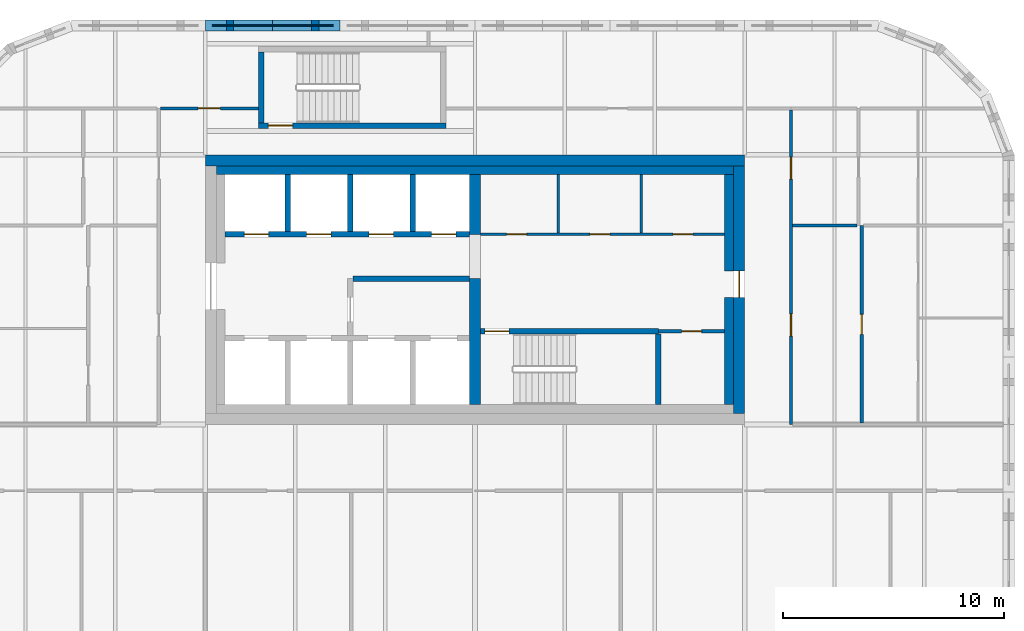
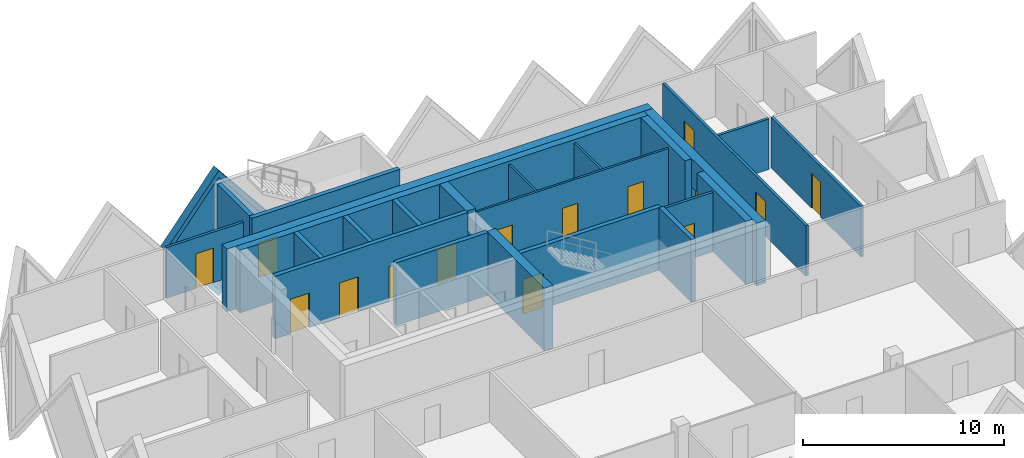
# One storey, part 14 of 19: 25 walls, 15 doors, 1 plate, 16 openings.
"""IFC4 building model written with IfcOpenShell, lengths in metres."""

from ifc_helpers import new_model, si_unit, direction, frame, frame_2d, origin, place, context, subcontext, project, spatial, polyline, rectangle, outline, extrude, faceted_brep, source, transform, mapped, material, layer, layer_set, type_object, element, fill, save


model = new_model("IFC4")

# Units and contexts
model_context = context("Model", 3, precision=1e-05, world=origin(), true_north=direction((0.0, 1.0)))
body_context = subcontext(model_context, "Body", "Model", "MODEL_VIEW")
ifc_project = project(units=[si_unit("LENGTHUNIT", "METRE"), si_unit("AREAUNIT", "SQUARE_METRE"), si_unit("VOLUMEUNIT", "CUBIC_METRE"), si_unit("PLANEANGLEUNIT", "RADIAN"), si_unit("MASSUNIT", "GRAM", prefix="KILO")], contexts=[model_context])

# Site, building, storey
site_placement = place(None, origin())
site = spatial("IfcSite", under=ifc_project, at=site_placement, CompositionType="ELEMENT")
building_placement = place(site_placement, origin())
building = spatial("IfcBuilding", under=site, at=building_placement, Name="Tessera Gate Towers", CompositionType="ELEMENT")
storey_placement = place(building_placement, frame((0.0, 0.0, 87.60009765625)))
storey = spatial("IfcBuildingStorey", under=building, at=storey_placement, Name="L21", CompositionType="ELEMENT", Elevation=87.60009765625)

# Wall, openings, doors
ifc_material_1 = material(Name="Concrete C40/50", Category="concrete")
ifc_layer_1 = layer(ifc_material_1, 0.25)
ifc_layer_set_1 = layer_set([ifc_layer_1], Name="CORE ENCLOSURE WALL 250")
wall_type_1 = type_object("IfcWallType", Name="CORE ENCLOSURE WALL 250", PredefinedType="SOLIDWALL", material=ifc_layer_set_1)
wall_1_placement = place(storey_placement, frame((109.550048828125, 45.199951171875, 0.0), z_axis=(0.0, 0.0, 1.0), x_axis=(-1.0, 0.0, 0.0)))
wall_1 = element("IfcWall", 1, at=wall_1_placement, inside=storey, type_object=wall_type_1, Name="L21 shaft and stair enclosure wall", PredefinedType="SOLIDWALL", context=body_context, shape_type="SweptSolid", body=[
    extrude(rectangle(XDim=11.050048828125, YDim=0.25, at=frame_2d((5.52490234375, 0.0))), origin(), (0.0, 0.0, 1.0), 3.7998046875),
])
shared_shape_1 = source(origin(), body_context, "Body", "SweptSolid", [
    extrude(rectangle(XDim=1.10009765625, YDim=2.10009765625, at=frame_2d((0.550048828125, 1.050048828125))), frame((0.0, 0.135009765625, 0.0), z_axis=(0.0, -1.0, 0.0), x_axis=(1.0, 0.0, 0.0)), (0.0, 0.0, 1.0), 0.27001953125),
])
opening_1_placement = place(wall_1_placement, frame((9.08740234375, 0.0, 0.0)))
opening_1 = element("IfcOpeningElement", 2, at=opening_1_placement, cuts=wall_1, Name="Opening LD-TL3", PredefinedType="OPENING", context=body_context, shape_type="MappedRepresentation", body=[
    mapped(shared_shape_1, transform((0.0, 0.0, 0.0), scale=1.0)),
])
opening_2_placement = place(wall_1_placement, frame((6.262451171875, 0.0, 0.0)))
opening_2 = element("IfcOpeningElement", 3, at=opening_2_placement, cuts=wall_1, Name="Opening LD-TL4", PredefinedType="OPENING", context=body_context, shape_type="MappedRepresentation", body=[
    mapped(shared_shape_1, transform((0.0, 0.0, 0.0), scale=1.0)),
])
opening_3_placement = place(wall_1_placement, frame((3.4375, 0.0, 0.0)))
opening_3 = element("IfcOpeningElement", 4, at=opening_3_placement, cuts=wall_1, Name="Opening LD-TL5", PredefinedType="OPENING", context=body_context, shape_type="MappedRepresentation", body=[
    mapped(shared_shape_1, transform((0.0, 0.0, 0.0), scale=1.0)),
])
opening_4_placement = place(wall_1_placement, frame((0.612548828125, 0.0, 0.0)))
opening_4 = element("IfcOpeningElement", 5, at=opening_4_placement, cuts=wall_1, Name="Opening LD-TL6", PredefinedType="OPENING", context=body_context, shape_type="MappedRepresentation", body=[
    mapped(shared_shape_1, transform((0.0, 0.0, 0.0), scale=1.0)),
])
ifc_material_2 = material(Name="Stainless steel", Category="steel")
door_type_1 = type_object("IfcDoorType", Name="CORE DOOR LD 1100x2100", OperationType="DOUBLE_DOOR_SLIDING", PredefinedType="DOOR", material=ifc_material_2)
shared_shape_2 = source(origin(), body_context, "Body", "SweptSolid", [
    extrude(rectangle(XDim=1.10009765625, YDim=2.10009765625, at=frame_2d((0.550048828125, 1.050048828125))), frame((0.0, 0.02490234375, 0.0), z_axis=(0.0, -1.0, 0.0), x_axis=(1.0, 0.0, 0.0)), (0.0, 0.0, 1.0), 0.050048828125),
])
door_1_placement = place(opening_1_placement, origin())
door_1 = element("IfcDoor", 6, at=door_1_placement, inside=storey, type_object=door_type_1, Name="Landing door TL3 L21", OperationType="DOUBLE_DOOR_SLIDING", OverallHeight=2.10009765625, OverallWidth=1.10009765625, PredefinedType="DOOR", context=body_context, shape_type="MappedRepresentation", body=[
    mapped(shared_shape_2, transform((0.0, 0.0, 0.0), scale=1.0)),
])
fill(opening_1, door_1)
door_2_placement = place(opening_2_placement, origin())
door_2 = element("IfcDoor", 7, at=door_2_placement, inside=storey, type_object=door_type_1, Name="Landing door TL4 L21", OperationType="DOUBLE_DOOR_SLIDING", OverallHeight=2.10009765625, OverallWidth=1.10009765625, PredefinedType="DOOR", context=body_context, shape_type="MappedRepresentation", body=[
    mapped(shared_shape_2, transform((0.0, 0.0, 0.0), scale=1.0)),
])
fill(opening_2, door_2)
door_3_placement = place(opening_3_placement, origin())
door_3 = element("IfcDoor", 8, at=door_3_placement, inside=storey, type_object=door_type_1, Name="Landing door TL5 L21", OperationType="DOUBLE_DOOR_SLIDING", OverallHeight=2.10009765625, OverallWidth=1.10009765625, PredefinedType="DOOR", context=body_context, shape_type="MappedRepresentation", body=[
    mapped(shared_shape_2, transform((0.0, 0.0, 0.0), scale=1.0)),
])
fill(opening_3, door_3)
door_4_placement = place(opening_4_placement, origin())
door_4 = element("IfcDoor", 9, at=door_4_placement, inside=storey, type_object=door_type_1, Name="Landing door TL6 L21", OperationType="DOUBLE_DOOR_SLIDING", OverallHeight=2.10009765625, OverallWidth=1.10009765625, PredefinedType="DOOR", context=body_context, shape_type="MappedRepresentation", body=[
    mapped(shared_shape_2, transform((0.0, 0.0, 0.0), scale=1.0)),
])
fill(opening_4, door_4)

# Wall, opening, door
wall_2_placement = place(storey_placement, frame((118.10009765625, 40.824951171875, 0.0), z_axis=(0.0, 0.0, 1.0), x_axis=(-1.0, 0.0, 0.0)))
wall_2 = element("IfcWall", 10, at=wall_2_placement, inside=storey, type_object=wall_type_1, Name="L21 shaft and stair enclosure wall", PredefinedType="SOLIDWALL", context=body_context, shape_type="SweptSolid", body=[
    extrude(rectangle(XDim=8.050048828125, YDim=0.25, at=frame_2d((4.02490234375, 0.0))), origin(), (0.0, 0.0, 1.0), 3.7998046875),
])
opening_5_placement = place(wall_2_placement, frame((6.75, 0.0, 0.0)))
opening_5 = element("IfcOpeningElement", 11, at=opening_5_placement, cuts=wall_2, Name="Opening SD-ST6-1", PredefinedType="OPENING", context=body_context, shape_type="MappedRepresentation", body=[
    mapped(shared_shape_1, transform((0.0, 0.0, 0.0), scale=1.0)),
])
ifc_material_3 = material(Name="Hollow steel fire door", Category="steel")
door_type_2 = type_object("IfcDoorType", Name="CORE DOOR SD1100 1100x2100", OperationType="NOTDEFINED", PredefinedType="DOOR", material=ifc_material_3)
door_5_placement = place(opening_5_placement, origin())
door_5 = element("IfcDoor", 12, at=door_5_placement, inside=storey, type_object=door_type_2, Name="Stair door", OperationType="SINGLE_SWING_RIGHT", OverallHeight=2.10009765625, OverallWidth=1.10009765625, PredefinedType="DOOR", context=body_context, shape_type="MappedRepresentation", body=[
    mapped(shared_shape_2, transform((0.0, 0.0, 0.0), scale=1.0)),
])
fill(opening_5, door_5)

# Walls
wall_3_placement = place(storey_placement, frame((104.27490234375, 43.199951171875, 0.0), z_axis=(0.0, 0.0, 1.0), x_axis=(1.0, 0.0, 0.0)))
element("IfcWall", 13, at=wall_3_placement, inside=storey, type_object=wall_type_1, Name="L21 shaft and stair enclosure wall", PredefinedType="SOLIDWALL", context=body_context, shape_type="SweptSolid", body=[
    extrude(rectangle(XDim=5.275146484375, YDim=0.25, at=frame_2d((2.6376953125, 0.0))), origin(), (0.0, 0.0, 1.0), 3.7998046875),
])
wall_4_placement = place(storey_placement, frame((118.10009765625, 37.5, 0.0), z_axis=(0.0, 0.0, 1.0), x_axis=(0.0, 1.0, 0.0)))
element("IfcWall", 14, at=wall_4_placement, inside=storey, type_object=wall_type_1, Name="L21 shaft and stair enclosure wall", PredefinedType="SOLIDWALL", context=body_context, shape_type="SweptSolid", body=[
    extrude(rectangle(XDim=3.199951171875, YDim=0.25, at=frame_2d((1.60009765625, 0.0))), origin(), (0.0, 0.0, 1.0), 3.7998046875),
])
for number, where, z_axis, x_axis, name in (
    (15, (101.324951171875, 45.324951171875, 0.0), (0.0, 0.0, 1.0), (0.0, 1.0, 0.0), "L21 shaft and stair enclosure wall"),
    (16, (104.14990234375, 45.324951171875, 0.0), (0.0, 0.0, 1.0), (0.0, 1.0, 0.0), "L21 shaft and stair enclosure wall"),
    (17, (106.97509765625, 45.324951171875, 0.0), (0.0, 0.0, 1.0), (0.0, 1.0, 0.0), "L21 shaft and stair enclosure wall"),
):
    element("IfcWall", number, at=place(storey_placement, frame(where, z_axis=z_axis, x_axis=x_axis)), inside=storey, type_object=wall_type_1, Name=name, PredefinedType="SOLIDWALL", context=body_context, shape_type="SweptSolid", body=[
        extrude(rectangle(XDim=2.574951171875, YDim=0.25, at=frame_2d((1.28759765625, 0.0))), origin(), (0.0, 0.0, 1.0), 3.7998046875),
    ])

# Wall, opening, door
wall_5_placement = place(storey_placement, frame((108.5, 50.125, 0.0), z_axis=(0.0, 0.0, 1.0), x_axis=(-1.0, 0.0, 0.0)))
wall_5 = element("IfcWall", 18, at=wall_5_placement, inside=storey, type_object=wall_type_1, Name="L21 ST7 enclosure wall", PredefinedType="SOLIDWALL", context=body_context, shape_type="SweptSolid", body=[
    extrude(rectangle(XDim=8.5, YDim=0.25, at=frame_2d((4.25, 0.0))), origin(), (0.0, 0.0, 1.0), 3.7998046875),
])
opening_6_placement = place(wall_5_placement, frame((6.949951171875, 0.0, 0.0)))
opening_6 = element("IfcOpeningElement", 19, at=opening_6_placement, cuts=wall_5, Name="Opening SD-ST7-1", PredefinedType="OPENING", context=body_context, shape_type="MappedRepresentation", body=[
    mapped(shared_shape_1, transform((0.0, 0.0, 0.0), scale=1.0)),
])
door_6_placement = place(opening_6_placement, origin())
door_6 = element("IfcDoor", 20, at=door_6_placement, inside=storey, type_object=door_type_2, Name="Stair door", OperationType="SINGLE_SWING_RIGHT", OverallHeight=2.10009765625, OverallWidth=1.10009765625, PredefinedType="DOOR", context=body_context, shape_type="MappedRepresentation", body=[
    mapped(shared_shape_2, transform((0.0, 0.0, 0.0), scale=1.0)),
])
fill(opening_6, door_6)

# Wall
wall_6_placement = place(storey_placement, frame((100.125, 50.25, 0.0), z_axis=(0.0, 0.0, 1.0), x_axis=(0.0, 1.0, 0.0)))
element("IfcWall", 21, at=wall_6_placement, inside=storey, type_object=wall_type_1, Name="L21 ST7 enclosure wall", PredefinedType="SOLIDWALL", context=body_context, shape_type="SweptSolid", body=[
    extrude(rectangle(XDim=3.199951171875, YDim=0.25, at=frame_2d((1.60009765625, 0.0))), origin(), (0.0, 0.0, 1.0), 3.7998046875),
])

# Wall, openings, doors
ifc_material_4 = material(Name="Gypsum board on steel studs", Category="steel")
ifc_layer_2 = layer(ifc_material_4, 0.1201171875)
ifc_layer_set_2 = layer_set([ifc_layer_2], Name="CORE PARTITION 120")
wall_type_2 = type_object("IfcWallType", Name="CORE PARTITION 120", PredefinedType="PARTITIONING", material=ifc_layer_set_2)
wall_7_placement = place(storey_placement, frame((110.050048828125, 45.199951171875, 0.0), z_axis=(0.0, 0.0, 1.0), x_axis=(1.0, 0.0, 0.0)))
wall_7 = element("IfcWall", 22, at=wall_7_placement, inside=storey, type_object=wall_type_2, Name="L21 core partition", PredefinedType="PARTITIONING", context=body_context, shape_type="SweptSolid", body=[
    extrude(rectangle(XDim=11.050048828125, YDim=0.1201171875, at=frame_2d((5.52490234375, 0.0))), origin(), (0.0, 0.0, 1.0), 3.599853515625),
])
shared_shape_3 = source(origin(), body_context, "Body", "SweptSolid", [
    extrude(rectangle(XDim=0.89990234375, YDim=2.10009765625, at=frame_2d((0.449951171875, 1.050048828125))), frame((0.0, 0.070068359375, 0.0), z_axis=(0.0, -1.0, 0.0), x_axis=(1.0, 0.0, 0.0)), (0.0, 0.0, 1.0), 0.14013671875),
])
opening_7_placement = place(wall_7_placement, frame((1.1875, 0.0, 0.0)))
opening_7 = element("IfcOpeningElement", 23, at=opening_7_placement, cuts=wall_7, Name="Opening RD-T2-11-04", PredefinedType="OPENING", context=body_context, shape_type="MappedRepresentation", body=[
    mapped(shared_shape_3, transform((0.0, 0.0, 0.0), scale=1.0)),
])
opening_8_placement = place(wall_7_placement, frame((4.949951171875, 0.0, 0.0)))
opening_8 = element("IfcOpeningElement", 24, at=opening_8_placement, cuts=wall_7, Name="Opening RD-T2-11-05", PredefinedType="OPENING", context=body_context, shape_type="MappedRepresentation", body=[
    mapped(shared_shape_3, transform((0.0, 0.0, 0.0), scale=1.0)),
])
opening_9_placement = place(wall_7_placement, frame((8.71240234375, 0.0, 0.0)))
opening_9 = element("IfcOpeningElement", 25, at=opening_9_placement, cuts=wall_7, Name="Opening RD-T2-11-06", PredefinedType="OPENING", context=body_context, shape_type="MappedRepresentation", body=[
    mapped(shared_shape_3, transform((0.0, 0.0, 0.0), scale=1.0)),
])
ifc_material_5 = material(Name="Hollow steel fire door", Category="steel")
door_type_3 = type_object("IfcDoorType", Name="CORE DOOR RD 900x2100", OperationType="NOTDEFINED", PredefinedType="DOOR", material=ifc_material_5)
shared_shape_4 = source(origin(), body_context, "Body", "SweptSolid", [
    extrude(rectangle(XDim=0.89990234375, YDim=2.10009765625, at=frame_2d((0.449951171875, 1.050048828125))), frame((0.0, 0.02490234375, 0.0), z_axis=(0.0, -1.0, 0.0), x_axis=(1.0, 0.0, 0.0)), (0.0, 0.0, 1.0), 0.050048828125),
])
door_7_placement = place(opening_7_placement, origin())
door_7 = element("IfcDoor", 26, at=door_7_placement, inside=storey, type_object=door_type_3, Name="Core room door", OperationType="SINGLE_SWING_LEFT", OverallHeight=2.10009765625, OverallWidth=0.89990234375, PredefinedType="DOOR", context=body_context, shape_type="MappedRepresentation", body=[
    mapped(shared_shape_4, transform((0.0, 0.0, 0.0), scale=1.0)),
])
fill(opening_7, door_7)
door_8_placement = place(opening_8_placement, origin())
door_8 = element("IfcDoor", 27, at=door_8_placement, inside=storey, type_object=door_type_3, Name="Core room door", OperationType="SINGLE_SWING_LEFT", OverallHeight=2.10009765625, OverallWidth=0.89990234375, PredefinedType="DOOR", context=body_context, shape_type="MappedRepresentation", body=[
    mapped(shared_shape_4, transform((0.0, 0.0, 0.0), scale=1.0)),
])
fill(opening_8, door_8)
door_9_placement = place(opening_9_placement, origin())
door_9 = element("IfcDoor", 28, at=door_9_placement, inside=storey, type_object=door_type_3, Name="Core room door", OperationType="SINGLE_SWING_RIGHT", OverallHeight=2.10009765625, OverallWidth=0.89990234375, PredefinedType="DOOR", context=body_context, shape_type="MappedRepresentation", body=[
    mapped(shared_shape_4, transform((0.0, 0.0, 0.0), scale=1.0)),
])
fill(opening_9, door_9)

# Walls
for number, where, z_axis, x_axis, name in (
    (29, (113.574951171875, 45.260009765625, 0.0), (0.0, 0.0, 1.0), (0.0, 1.0, 0.0), "L21 core partition"),
    (30, (117.324951171875, 45.260009765625, 0.0), (0.0, 0.0, 1.0), (0.0, 1.0, 0.0), "L21 core partition"),
):
    element("IfcWall", number, at=place(storey_placement, frame(where, z_axis=z_axis, x_axis=x_axis)), inside=storey, type_object=wall_type_2, Name=name, PredefinedType="PARTITIONING", context=body_context, shape_type="SweptSolid", body=[
        extrude(rectangle(XDim=2.639892578125, YDim=0.1201171875, at=frame_2d((1.31982421875, 0.0))), origin(), (0.0, 0.0, 1.0), 3.599853515625),
    ])
ifc_material_6 = material(Name="Concrete C50/60", Category="concrete")
ifc_layer_3 = layer(ifc_material_6, 0.5)
ifc_layer_set_3 = layer_set([ifc_layer_3], Name="CORE SHEAR WALL 500 C50/60")
wall_type_3 = type_object("IfcWallType", Name="CORE SHEAR WALL 500 C50/60", PredefinedType="SHEAR", material=ifc_layer_set_3)
wall_8_placement = place(storey_placement, frame((97.60009765625, 48.550048828125, 0.0), z_axis=(0.0, 0.0, 1.0), x_axis=(1.0, 0.0, 0.0)))
element("IfcWall", 31, at=wall_8_placement, inside=storey, type_object=wall_type_3, Name="Core wall N L21", PredefinedType="SHEAR", context=body_context, shape_type="SweptSolid", body=[
    extrude(rectangle(XDim=24.39990234375, YDim=0.5, at=frame_2d((12.199951171875, 0.0))), origin(), (0.0, 0.0, 1.0), 3.7998046875),
])

# Wall, opening, door
wall_9_placement = place(storey_placement, frame((121.75, 48.300048828125, 0.0), z_axis=(0.0, 0.0, 1.0), x_axis=(0.0, -1.0, 0.0)))
wall_9 = element("IfcWall", 32, at=wall_9_placement, inside=storey, type_object=wall_type_3, Name="Core wall E L21", PredefinedType="SHEAR", context=body_context, shape_type="SweptSolid", body=[
    extrude(rectangle(XDim=11.199951171875, YDim=0.5, at=frame_2d((5.60009765625, 0.0))), origin(), (0.0, 0.0, 1.0), 3.7998046875),
])
shared_shape_5 = source(origin(), body_context, "Body", "SweptSolid", [
    extrude(rectangle(XDim=1.199951171875, YDim=2.10009765625, at=frame_2d((0.60009765625, 1.050048828125))), frame((0.0, 0.260009765625, 0.0), z_axis=(0.0, -1.0, 0.0), x_axis=(1.0, 0.0, 0.0)), (0.0, 0.0, 1.0), 0.52001953125),
])
opening_10_placement = place(wall_9_placement, frame((4.75, 0.0, 0.0)))
opening_10 = element("IfcOpeningElement", 33, at=opening_10_placement, cuts=wall_9, Name="Opening ED-T2-11-02", PredefinedType="OPENING", context=body_context, shape_type="MappedRepresentation", body=[
    mapped(shared_shape_5, transform((0.0, 0.0, 0.0), scale=1.0)),
])
ifc_material_7 = material(Name="Hollow steel fire door", Category="steel")
door_type_4 = type_object("IfcDoorType", Name="CORE DOOR ED 1200x2100", OperationType="NOTDEFINED", PredefinedType="DOOR", material=ifc_material_7)
shared_shape_6 = source(origin(), body_context, "Body", "SweptSolid", [
    extrude(rectangle(XDim=1.199951171875, YDim=2.10009765625, at=frame_2d((0.60009765625, 1.050048828125))), frame((0.0, 0.02490234375, 0.0), z_axis=(0.0, -1.0, 0.0), x_axis=(1.0, 0.0, 0.0)), (0.0, 0.0, 1.0), 0.050048828125),
])
door_10_placement = place(opening_10_placement, origin())
door_10 = element("IfcDoor", 34, at=door_10_placement, inside=storey, type_object=door_type_4, Name="Core exit door", OperationType="SINGLE_SWING_LEFT", OverallHeight=2.10009765625, OverallWidth=1.199951171875, PredefinedType="DOOR", context=body_context, shape_type="MappedRepresentation", body=[
    mapped(shared_shape_6, transform((0.0, 0.0, 0.0), scale=1.0)),
])
fill(opening_10, door_10)

# Walls
ifc_material_8 = material(Name="Concrete C50/60", Category="concrete")
ifc_layer_4 = layer(ifc_material_8, 0.5)
ifc_layer_set_4 = layer_set([ifc_layer_4], Name="CORE SPINE WALL 500 C50/60")
wall_type_4 = type_object("IfcWallType", Name="CORE SPINE WALL 500 C50/60", PredefinedType="SHEAR", material=ifc_layer_set_4)
wall_10_placement = place(storey_placement, frame((109.800048828125, 37.5, 0.0), z_axis=(0.0, 0.0, 1.0), x_axis=(0.0, 1.0, 0.0)))
element("IfcWall", 35, at=wall_10_placement, inside=storey, type_object=wall_type_4, Name="Core wall spine L21", PredefinedType="SHEAR", context=body_context, shape_type="SweptSolid", body=[
    extrude(rectangle(XDim=5.699951171875, YDim=0.5, at=frame_2d((2.85009765625, 0.0))), origin(), (0.0, 0.0, 1.0), 3.7998046875),
])
wall_11_placement = place(storey_placement, frame((109.800048828125, 45.199951171875, 0.0), z_axis=(0.0, 0.0, 1.0), x_axis=(0.0, 1.0, 0.0)))
element("IfcWall", 36, at=wall_11_placement, inside=storey, type_object=wall_type_4, Name="Core wall spine L21", PredefinedType="SHEAR", context=body_context, shape_type="SweptSolid", body=[
    extrude(rectangle(XDim=2.699951171875, YDim=0.5, at=frame_2d((1.35009765625, 0.0))), origin(), (0.0, 0.0, 1.0), 3.7998046875),
])
ifc_material_9 = material(Name="Concrete C50/60", Category="concrete")
ifc_layer_5 = layer(ifc_material_9, 0.39990234375)
ifc_layer_set_5 = layer_set([ifc_layer_5], Name="CORE WALL THICKENING 400")
wall_type_5 = type_object("IfcWallType", Name="CORE WALL THICKENING 400", PredefinedType="SOLIDWALL", material=ifc_layer_set_5)
wall_12_placement = place(storey_placement, frame((98.10009765625, 48.10009765625, 0.0), z_axis=(0.0, 0.0, 1.0), x_axis=(1.0, 0.0, 0.0)))
element("IfcWall", 37, at=wall_12_placement, inside=storey, type_object=wall_type_5, Name="Core wall thickening N L21", PredefinedType="SOLIDWALL", context=body_context, shape_type="SweptSolid", body=[
    extrude(rectangle(XDim=23.39990234375, YDim=0.39990234375, at=frame_2d((11.699951171875, 0.0))), origin(), (0.0, 0.0, 1.0), 3.7998046875),
])
wall_13_placement = place(storey_placement, frame((121.300048828125, 37.5, 0.0), z_axis=(0.0, 0.0, 1.0), x_axis=(0.0, 1.0, 0.0)))
element("IfcWall", 38, at=wall_13_placement, inside=storey, type_object=wall_type_5, Name="Core wall thickening E L21", PredefinedType="SOLIDWALL", context=body_context, shape_type="SweptSolid", body=[
    extrude(rectangle(XDim=4.85009765625, YDim=0.39990234375, at=frame_2d((2.425048828125, 0.0))), origin(), (0.0, 0.0, 1.0), 3.7998046875),
])
wall_14_placement = place(storey_placement, frame((121.300048828125, 43.550048828125, 0.0), z_axis=(0.0, 0.0, 1.0), x_axis=(0.0, 1.0, 0.0)))
element("IfcWall", 39, at=wall_14_placement, inside=storey, type_object=wall_type_5, Name="Core wall thickening E L21", PredefinedType="SOLIDWALL", context=body_context, shape_type="SweptSolid", body=[
    extrude(rectangle(XDim=4.349853515625, YDim=0.39990234375, at=frame_2d((2.1748046875, 0.0))), origin(), (0.0, 0.0, 1.0), 3.7998046875),
])

# Wall, openings, doors
ifc_material_10 = material(Name="Gypsum board on steel studs, mineral wool", Category="steel")
ifc_layer_6 = layer(ifc_material_10, 0.14990234375)
ifc_layer_set_6 = layer_set([ifc_layer_6], Name="CORRIDOR WALL 150")
wall_type_6 = type_object("IfcWallType", Name="CORRIDOR WALL 150", PredefinedType="PARTITIONING", material=ifc_layer_set_6)
wall_15_placement = place(storey_placement, frame((124.10009765625, 50.823974609375, 0.0), z_axis=(0.0, 0.0, 1.0), x_axis=(0.0, -1.0, 0.0)))
wall_15 = element("IfcWall", 40, at=wall_15_placement, inside=storey, type_object=wall_type_6, Name="T2-L21-PW-024", PredefinedType="PARTITIONING", context=body_context, shape_type="SweptSolid", body=[
    extrude(rectangle(XDim=14.223876953125, YDim=0.14990234375, at=frame_2d((7.11181640625, 0.0))), origin(), (0.0, 0.0, 1.0), 3.06689453125),
])
shared_shape_7 = source(origin(), body_context, "Body", "SweptSolid", [
    extrude(rectangle(XDim=1.0, YDim=2.10009765625, at=frame_2d((0.5, 1.050048828125))), frame((0.0, 0.0849609375, 0.0), z_axis=(0.0, -1.0, 0.0), x_axis=(1.0, 0.0, 0.0)), (0.0, 0.0, 1.0), 0.169921875),
])
opening_11_placement = place(wall_15_placement, frame((2.123046875, 0.0, 0.0)))
opening_11 = element("IfcOpeningElement", 41, at=opening_11_placement, cuts=wall_15, Name="Opening D2100FD60-B09-02", PredefinedType="OPENING", context=body_context, shape_type="MappedRepresentation", body=[
    mapped(shared_shape_7, transform((0.0, 0.0, 0.0), scale=1.0)),
])
opening_12_placement = place(wall_15_placement, frame((9.22412109375, 0.0, 0.0)))
opening_12 = element("IfcOpeningElement", 42, at=opening_12_placement, cuts=wall_15, Name="Opening D2100FD60-B09-06", PredefinedType="OPENING", context=body_context, shape_type="MappedRepresentation", body=[
    mapped(shared_shape_7, transform((0.0, 0.0, 0.0), scale=1.0)),
])
ifc_material_11 = material(Name="Timber door leaf in steel frame", Category="steel")
door_type_5 = type_object("IfcDoorType", Name="TENANCY ENTRANCE DOOR 1000 FD60", OperationType="NOTDEFINED", PredefinedType="DOOR", material=ifc_material_11)
shared_shape_8 = source(origin(), body_context, "Body", "SweptSolid", [
    extrude(rectangle(XDim=1.0, YDim=2.10009765625, at=frame_2d((0.5, 1.050048828125))), frame((0.0, 0.02490234375, 0.0), z_axis=(0.0, -1.0, 0.0), x_axis=(1.0, 0.0, 0.0)), (0.0, 0.0, 1.0), 0.050048828125),
])
door_11_placement = place(opening_11_placement, origin())
door_11 = element("IfcDoor", 43, at=door_11_placement, inside=storey, type_object=door_type_5, Name="T2-L21-PD-011", OperationType="SINGLE_SWING_RIGHT", OverallHeight=2.10009765625, OverallWidth=1.0, PredefinedType="DOOR", context=body_context, shape_type="MappedRepresentation", body=[
    mapped(shared_shape_8, transform((0.0, 0.0, 0.0), scale=1.0)),
])
fill(opening_11, door_11)
door_12_placement = place(opening_12_placement, origin())
door_12 = element("IfcDoor", 44, at=door_12_placement, inside=storey, type_object=door_type_5, Name="T2-L21-PD-024", OperationType="SINGLE_SWING_RIGHT", OverallHeight=2.10009765625, OverallWidth=1.0, PredefinedType="DOOR", context=body_context, shape_type="MappedRepresentation", body=[
    mapped(shared_shape_8, transform((0.0, 0.0, 0.0), scale=1.0)),
])
fill(opening_12, door_12)

# Wall, opening, door
wall_16_placement = place(storey_placement, frame((95.575927734375, 50.89990234375, 0.0), z_axis=(0.0, 0.0, 1.0), x_axis=(1.0, 0.0, 0.0)))
wall_16 = element("IfcWall", 45, at=wall_16_placement, inside=storey, type_object=wall_type_6, Name="T2-L21-PW-039", PredefinedType="PARTITIONING", context=body_context, shape_type="SweptSolid", body=[
    extrude(rectangle(XDim=4.424072265625, YDim=0.14990234375, at=frame_2d((2.2119140625, 0.0))), origin(), (0.0, 0.0, 1.0), 3.06689453125),
])
opening_13_placement = place(wall_16_placement, frame((1.699951171875, 0.0, 0.0)))
opening_13 = element("IfcOpeningElement", 46, at=opening_13_placement, cuts=wall_16, Name="Opening D2100FD60-B09-01", PredefinedType="OPENING", context=body_context, shape_type="MappedRepresentation", body=[
    mapped(shared_shape_7, transform((0.0, 0.0, 0.0), scale=1.0)),
])
door_13_placement = place(opening_13_placement, origin())
door_13 = element("IfcDoor", 47, at=door_13_placement, inside=storey, type_object=door_type_5, Name="T2-L21-PD-003", OperationType="SINGLE_SWING_LEFT", OverallHeight=2.10009765625, OverallWidth=1.0, PredefinedType="DOOR", context=body_context, shape_type="MappedRepresentation", body=[
    mapped(shared_shape_8, transform((0.0, 0.0, 0.0), scale=1.0)),
])
fill(opening_13, door_13)

ifc_material_12 = material(Name="Gypsum board on steel studs", Category="steel")
ifc_layer_7 = layer(ifc_material_12, 0.14990234375)
ifc_layer_set_7 = layer_set([ifc_layer_7], Name="SERVICE ROOM WALL 150")
wall_type_7 = type_object("IfcWallType", Name="SERVICE ROOM WALL 150", PredefinedType="PARTITIONING", material=ifc_layer_set_7)
wall_17_placement = place(storey_placement, frame((121.10009765625, 40.824951171875, 0.0), z_axis=(0.0, 0.0, 1.0), x_axis=(-1.0, 0.0, 0.0)))
wall_17 = element("IfcWall", 48, at=wall_17_placement, inside=storey, type_object=wall_type_7, Name="L21 service room wall", PredefinedType="PARTITIONING", context=body_context, shape_type="SweptSolid", body=[
    extrude(rectangle(XDim=3.0, YDim=0.14990234375, at=frame_2d((1.5, 0.0))), origin(), (0.0, 0.0, 1.0), 3.599853515625),
])
shared_shape_9 = source(origin(), body_context, "Body", "SweptSolid", [
    extrude(rectangle(XDim=0.89990234375, YDim=2.10009765625, at=frame_2d((0.449951171875, 1.050048828125))), frame((0.0, 0.0849609375, 0.0), z_axis=(0.0, -1.0, 0.0), x_axis=(1.0, 0.0, 0.0)), (0.0, 0.0, 1.0), 0.169921875),
])
opening_14_placement = place(wall_17_placement, frame((1.050048828125, 0.0, 0.0)))
opening_14 = element("IfcOpeningElement", 49, at=opening_14_placement, cuts=wall_17, Name="Opening RD-T2-11-07", PredefinedType="OPENING", context=body_context, shape_type="MappedRepresentation", body=[
    mapped(shared_shape_9, transform((0.0, 0.0, 0.0), scale=1.0)),
])
door_14_placement = place(opening_14_placement, origin())
door_14 = element("IfcDoor", 50, at=door_14_placement, inside=storey, type_object=door_type_3, Name="Core room door", OperationType="SINGLE_SWING_RIGHT", OverallHeight=2.10009765625, OverallWidth=0.89990234375, PredefinedType="DOOR", context=body_context, shape_type="MappedRepresentation", body=[
    mapped(shared_shape_4, transform((0.0, 0.0, 0.0), scale=1.0)),
])
fill(opening_14, door_14)

ifc_material_13 = material(Name="Gypsum board on steel studs, mineral wool", Category="steel")
ifc_layer_8 = layer(ifc_material_13, 0.14990234375)
ifc_layer_set_8 = layer_set([ifc_layer_8], Name="TENANCY WALL 150")
wall_type_8 = type_object("IfcWallType", Name="TENANCY WALL 150", PredefinedType="PARTITIONING", material=ifc_layer_set_8)
wall_18_placement = place(storey_placement, frame((127.300048828125, 45.60009765625, 0.0), z_axis=(0.0, 0.0, 1.0), x_axis=(0.0, -1.0, 0.0)))
wall_18 = element("IfcWall", 51, at=wall_18_placement, inside=storey, type_object=wall_type_8, Name="T2-L21-PW-027", PredefinedType="PARTITIONING", context=body_context, shape_type="SweptSolid", body=[
    extrude(rectangle(XDim=8.924072265625, YDim=0.14990234375, at=frame_2d((4.4619140625, 0.0))), origin(), (0.0, 0.0, 1.0), 3.06689453125),
])
opening_15_placement = place(wall_18_placement, frame((4.02392578125, 0.0, 0.0)))
opening_15 = element("IfcOpeningElement", 52, at=opening_15_placement, cuts=wall_18, Name="Opening D190-B09-10", PredefinedType="OPENING", context=body_context, shape_type="MappedRepresentation", body=[
    mapped(shared_shape_9, transform((0.0, 0.0, 0.0), scale=1.0)),
])
ifc_material_14 = material(Name="Timber door leaf in steel frame", Category="steel")
door_type_6 = type_object("IfcDoorType", Name="INTERNAL DOOR 900 NOT RATED", OperationType="NOTDEFINED", PredefinedType="DOOR", material=ifc_material_14)
door_15_placement = place(opening_15_placement, origin())
door_15 = element("IfcDoor", 53, at=door_15_placement, inside=storey, type_object=door_type_6, Name="T2-L21-PD-022", OperationType="SINGLE_SWING_RIGHT", OverallHeight=2.10009765625, OverallWidth=0.89990234375, PredefinedType="DOOR", context=body_context, shape_type="MappedRepresentation", body=[
    mapped(shared_shape_4, transform((0.0, 0.0, 0.0), scale=1.0)),
])
fill(opening_15, door_15)

# Wall
wall_19_placement = place(storey_placement, frame((124.176025390625, 45.60009765625, 0.0), z_axis=(0.0, 0.0, 1.0), x_axis=(1.0, 0.0, 0.0)))
element("IfcWall", 54, at=wall_19_placement, inside=storey, type_object=wall_type_8, Name="T2-L21-PW-033", PredefinedType="PARTITIONING", context=body_context, shape_type="SweptSolid", body=[
    extrude(rectangle(XDim=2.89794921875, YDim=0.14990234375, at=frame_2d((1.448974609375, 0.0))), origin(), (0.0, 0.0, 1.0), 3.06689453125),
])

# Wall, opening, plate
ifc_material_15 = material(Name="Precast concrete C60/75 white", Category="concrete")
ifc_layer_9 = layer(ifc_material_15, 0.5)
ifc_layer_set_9 = layer_set([ifc_layer_9], Name="TS1 tessera")
wall_type_9 = type_object("IfcWallType", Name="TS1 tessera", PredefinedType="SOLIDWALL", material=ifc_layer_set_9)
shared_shape_10 = source(origin(), body_context, "Body", "Brep", [
    faceted_brep([(3.050048828125, -0.25, 0.0), (6.099853515625, -0.25, 3.7998046875), (6.099853515625, -0.25, 3.80029296875), (3.050048828125, -0.25, 7.599853515625), (0.0, -0.25, 3.800048828125), (0.0, 0.25, 3.800048828125), (3.050048828125, 0.25, 7.599853515625), (6.099853515625, 0.25, 3.80029296875), (6.099853515625, 0.25, 3.7998046875), (3.050048828125, 0.25, 0.0)], [[[0, 1, 2, 3, 4]], [[5, 6, 7, 8, 9]], [[9, 8, 1, 0]], [[7, 6, 3, 2]], [[6, 5, 4, 3]], [[5, 9, 0, 4]], [[1, 8, 7, 2]]]),
])
wall_20_placement = place(storey_placement, frame((103.699951171875, 54.64990234375, -3.800048828125), z_axis=(0.0, 0.0, 1.0), x_axis=(-1.0, 0.0, 0.0)))
wall_20 = element("IfcWall", 55, at=wall_20_placement, inside=storey, type_object=wall_type_9, Name="Precast tessera T2 TS1-0265", PredefinedType="SOLIDWALL", context=body_context, shape_type="MappedRepresentation", body=[
    mapped(shared_shape_10, transform((0.0, 0.0, 0.0), scale=1.0)),
])
shared_shape_11 = source(origin(), body_context, "Body", "SweptSolid", [
    extrude(outline(polyline([(3.050048828125, 0.3994140625), (5.779541015625, 3.800048828125), (3.050048828125, 7.200439453125), (0.320556640625, 3.800048828125), (3.050048828125, 0.3994140625)])), frame((0.0, 0.260009765625, 0.0), z_axis=(0.0, -1.0, 0.0), x_axis=(1.0, 0.0, 0.0)), (0.0, 0.0, 1.0), 0.52001953125),
])
opening_16_placement = place(wall_20_placement, origin())
opening_16 = element("IfcOpeningElement", 56, at=opening_16_placement, cuts=wall_20, Name="Opening T2-PL2-0497", PredefinedType="OPENING", context=body_context, shape_type="MappedRepresentation", body=[
    mapped(shared_shape_11, transform((0.0, 0.0, 0.0), scale=1.0)),
])
ifc_material_16 = material(Name="Low-e laminated glass", Category="glass")
ifc_layer_10 = layer(ifc_material_16, 0.06005859375)
ifc_layer_set_10 = layer_set([ifc_layer_10], Name="PL2 rhombic pane")
plate_type = type_object("IfcPlateType", Name="PL2 rhombic pane", PredefinedType="SHEET", material=ifc_layer_set_10)
shared_shape_12 = source(origin(), body_context, "Body", "SweptSolid", [
    extrude(outline(polyline([(3.050048828125, 0.3994140625), (5.779541015625, 3.800048828125), (3.050048828125, 7.200439453125), (0.320556640625, 3.800048828125), (3.050048828125, 0.3994140625)])), frame((0.0, 0.030029296875, 0.0), z_axis=(0.0, -1.0, 0.0), x_axis=(1.0, 0.0, 0.0)), (0.0, 0.0, 1.0), 0.06005859375),
])
plate_placement = place(opening_16_placement, origin())
plate = element("IfcPlate", 57, at=plate_placement, inside=storey, type_object=plate_type, Name="Glass pane T2 PL2-0497", PredefinedType="SHEET", context=body_context, shape_type="MappedRepresentation", body=[
    mapped(shared_shape_12, transform((0.0, 0.0, 0.0), scale=1.0)),
])
fill(opening_16, plate)

save(model, "model.ifc")
